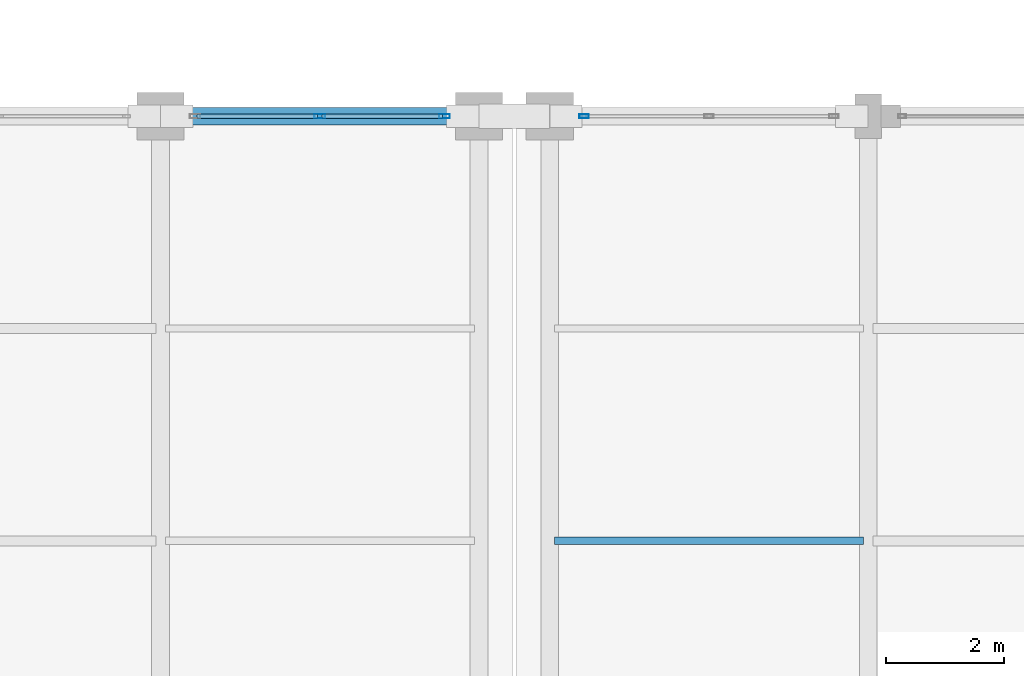
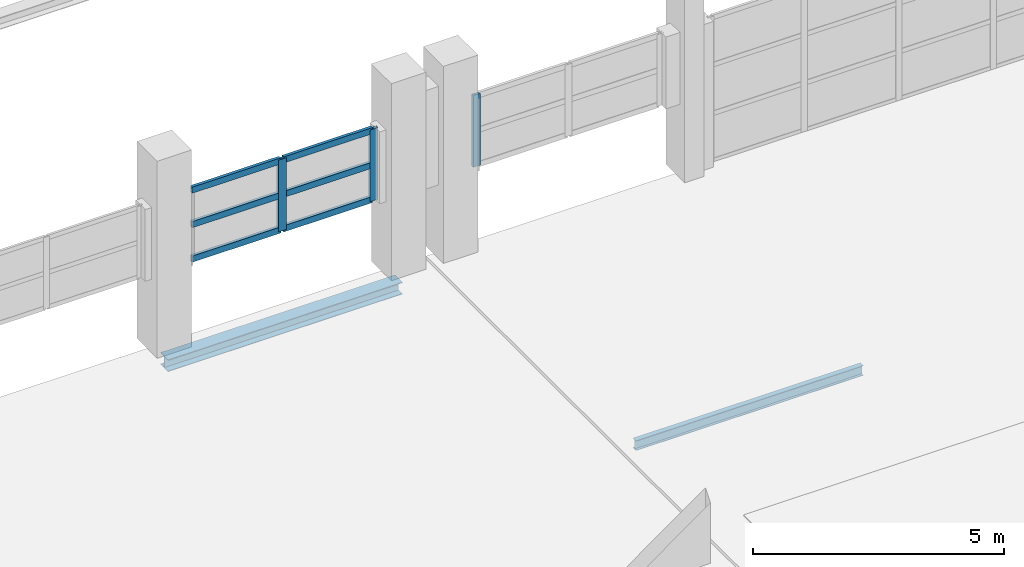
# One storey, part 63 of 86: 9 members, 2 beams, 2 elements without a shape of their own.
"""IFC4 building model written with IfcOpenShell, lengths in metres."""

from ifc_helpers import new_model, si_unit, direction, frame, origin, origin_2d, place, context, subcontext, project, spatial, hollow_rectangle, i_section, extrude, material, layer, layer_set, material_profile, profile_set, type_object, element, aggregate, save


model = new_model("IFC4")

# Units and contexts
model_context = context("Model", 3, precision=1e-05, world=origin(), true_north=direction((0.0, 1.0)))
body_context = subcontext(model_context, "Body", "Model", "MODEL_VIEW")
ifc_project = project(units=[si_unit("LENGTHUNIT", "METRE"), si_unit("AREAUNIT", "SQUARE_METRE"), si_unit("VOLUMEUNIT", "CUBIC_METRE"), si_unit("PLANEANGLEUNIT", "RADIAN"), si_unit("MASSUNIT", "GRAM", prefix="KILO")], contexts=[model_context])

# Site, building, storey
site_placement = place(None, origin())
site = spatial("IfcSite", under=ifc_project, at=site_placement, CompositionType="ELEMENT")
building_placement = place(site_placement, origin())
building = spatial("IfcBuilding", under=site, at=building_placement, Name="Zilviju Railside Exhibition Hall", CompositionType="ELEMENT")
storey_placement = place(building_placement, frame((0.0, 0.0, 12.60009765625)))
storey = spatial("IfcBuildingStorey", under=building, at=storey_placement, Name="L04", CompositionType="ELEMENT", Elevation=12.60009765625)

# Beams
ifc_material_1 = material(Name="Steel S355J2", Category="steel")
ifc_material_profile_1 = material_profile(ifc_material_1, i_section(OverallWidth=0.300048828125, OverallDepth=0.2900390625, WebThickness=0.008544921875, FlangeThickness=0.013916015625, at=origin_2d()), Name="HEA 300")
ifc_profile_set_1 = profile_set([ifc_material_profile_1], Name="Steel S355J2")
beam_type_1 = type_object("IfcBeamType", Name="BM-HEA300", PredefinedType="SPANDREL", material=ifc_profile_set_1)
beam_1_placement = place(storey_placement, frame((168.0, 138.0, -0.47509765625), z_axis=(1.0, 0.0, 0.0), x_axis=(0.0, 1.0, 0.0)))
element("IfcBeam", 1, at=beam_1_placement, inside=storey, type_object=beam_type_1, Name="Primary Girder L04 Y=138.0 (168.0..173.4)", PredefinedType="SPANDREL", context=body_context, shape_type="SweptSolid", body=[
    extrude(i_section(OverallWidth=0.300048828125, OverallDepth=0.2900390625, WebThickness=0.008544921875, FlangeThickness=0.013916015625, at=origin_2d()), origin(), (0.0, 0.0, 1.0), 5.39990234375),
])
ifc_material_profile_2 = material_profile(ifc_material_1, i_section(OverallWidth=0.1201171875, OverallDepth=0.239990234375, WebThickness=0.006103515625, FlangeThickness=0.009765625, at=origin_2d()), Name="IPE 240")
ifc_profile_set_2 = profile_set([ifc_material_profile_2], Name="Steel S355J2")
beam_type_2 = type_object("IfcBeamType", Name="BM-IPE240", PredefinedType="JOIST", material=ifc_profile_set_2)
beam_2_placement = place(storey_placement, frame((174.679931640625, 130.800048828125, -0.4501953125), z_axis=(1.0, 0.0, 0.0), x_axis=(0.0, 1.0, 0.0)))
element("IfcBeam", 2, at=beam_2_placement, inside=storey, type_object=beam_type_2, Name="Composite Floor Joist L04 Y=130.80 (174.6..180.0)", PredefinedType="JOIST", context=body_context, shape_type="SweptSolid", body=[
    extrude(i_section(OverallWidth=0.1201171875, OverallDepth=0.239990234375, WebThickness=0.006103515625, FlangeThickness=0.009765625, at=origin_2d()), origin(), (0.0, 0.0, 1.0), 5.239990234375),
])

# Curtain wall, member
ifc_material_2 = material(Name="Thermally broken aluminium-steel triple-glazed curtain wall", Category="steel")
ifc_layer_1 = layer(ifc_material_2, 0.179931640625)
ifc_layer_set_1 = layer_set([ifc_layer_1], Name="Thermally broken aluminium-steel triple-glazed curtain wall")
curtain_wall_type_1 = type_object("IfcCurtainWallType", Name="CW-BAY-10", PredefinedType="USERDEFINED", material=ifc_layer_set_1)
curtain_wall_1_placement = place(storey_placement, origin())
curtain_wall_1 = element("IfcCurtainWall", 3, at=curtain_wall_1_placement, inside=storey, type_object=curtain_wall_type_1, Name="North Hall Clerestory Curtain Wall L04 (175..180)", ObjectType="GLAZED CURTAIN WALL", PredefinedType="USERDEFINED")
ifc_material_3 = material(Name="Thermally broken anodized aluminium mullion", Category="aluminium")
ifc_material_profile_3 = material_profile(ifc_material_3, hollow_rectangle(XDim=0.06494140625, YDim=0.159912109375, WallThickness=0.0048828125, at=origin_2d()), Name="MULLION 160x65x5")
ifc_profile_set_3 = profile_set([ifc_material_profile_3], Name="Thermally broken anodized aluminium mullion")
member_type_1 = type_object("IfcMemberType", Name="CWM-65x160", PredefinedType="MULLION", material=ifc_profile_set_3)
member_1_placement = place(storey_placement, frame((175.1826171875, 138.0, 1.7998046875), z_axis=(0.0, 0.0, 1.0), x_axis=(0.0, 1.0, 0.0)))
member_1 = element("IfcMember", 4, at=member_1_placement, type_object=member_type_1, Name="CW-10 mullion 1", PredefinedType="MULLION", context=body_context, shape_type="SweptSolid", body=[
    extrude(hollow_rectangle(XDim=0.06494140625, YDim=0.159912109375, WallThickness=0.0048828125, at=origin_2d()), origin(), (0.0, 0.0, 1.0), 1.75),
])
aggregate(curtain_wall_1, [member_1])

# Curtain wall, members
ifc_layer_2 = layer(ifc_material_2, 0.179931640625)
ifc_layer_set_2 = layer_set([ifc_layer_2], Name="Thermally broken aluminium-steel triple-glazed curtain wall")
curtain_wall_type_2 = type_object("IfcCurtainWallType", Name="CW-BAY-09", PredefinedType="USERDEFINED", material=ifc_layer_set_2)
curtain_wall_2_placement = place(storey_placement, origin())
curtain_wall_2 = element("IfcCurtainWall", 5, at=curtain_wall_2_placement, inside=storey, type_object=curtain_wall_type_2, Name="North Hall Clerestory Curtain Wall L04 (168..173)", ObjectType="GLAZED CURTAIN WALL", PredefinedType="USERDEFINED")
ifc_material_profile_4 = material_profile(ifc_material_3, hollow_rectangle(XDim=0.070068359375, YDim=0.179931640625, WallThickness=0.0048828125, at=origin_2d()), Name="MULLION 180x70x5")
ifc_profile_set_4 = profile_set([ifc_material_profile_4], Name="Thermally broken anodized aluminium mullion")
member_type_2 = type_object("IfcMemberType", Name="CWM-70x180", PredefinedType="MULLION", material=ifc_profile_set_4)
member_2_placement = place(storey_placement, frame((170.699951171875, 138.0, 1.7998046875), z_axis=(0.0, 0.0, 1.0), x_axis=(0.0, 1.0, 0.0)))
member_2 = element("IfcMember", 6, at=member_2_placement, type_object=member_type_2, Name="CW-09 mullion 2", PredefinedType="MULLION", context=body_context, shape_type="SweptSolid", body=[
    extrude(hollow_rectangle(XDim=0.070068359375, YDim=0.179931640625, WallThickness=0.0048828125, at=origin_2d()), origin(), (0.0, 0.0, 1.0), 1.75),
])
member_3_placement = place(storey_placement, frame((172.81494140625, 138.0, 1.7998046875), z_axis=(0.0, 0.0, 1.0), x_axis=(0.0, 1.0, 0.0)))
member_3 = element("IfcMember", 7, at=member_3_placement, type_object=member_type_2, Name="CW-09 mullion 3", PredefinedType="MULLION", context=body_context, shape_type="SweptSolid", body=[
    extrude(hollow_rectangle(XDim=0.070068359375, YDim=0.179931640625, WallThickness=0.0048828125, at=origin_2d()), origin(), (0.0, 0.0, 1.0), 1.75),
])
ifc_material_4 = material(Name="Thermally broken anodized aluminium transom", Category="aluminium")
ifc_material_profile_5 = material_profile(ifc_material_4, hollow_rectangle(XDim=0.070068359375, YDim=0.14990234375, WallThickness=0.0048828125, at=origin_2d()), Name="TRANSOM 150x70x5")
ifc_profile_set_5 = profile_set([ifc_material_profile_5], Name="Thermally broken anodized aluminium transom")
member_type_3 = type_object("IfcMemberType", Name="CWT-70x150", PredefinedType="USERDEFINED", material=ifc_profile_set_5)
member_4_placement = place(storey_placement, frame((168.6201171875, 138.0, 1.8349609375), z_axis=(1.0, 0.0, 0.0), x_axis=(0.0, 1.0, 0.0)))
member_4 = element("IfcMember", 8, at=member_4_placement, type_object=member_type_3, Name="CW-09 transom 1.1", ObjectType="TRANSOM", PredefinedType="USERDEFINED", context=body_context, shape_type="SweptSolid", body=[
    extrude(hollow_rectangle(XDim=0.070068359375, YDim=0.14990234375, WallThickness=0.0048828125, at=origin_2d()), origin(), (0.0, 0.0, 1.0), 2.044921875),
])
member_5_placement = place(storey_placement, frame((168.6201171875, 138.0, 2.6748046875), z_axis=(1.0, 0.0, 0.0), x_axis=(0.0, 1.0, 0.0)))
member_5 = element("IfcMember", 9, at=member_5_placement, type_object=member_type_3, Name="CW-09 transom 1.2", ObjectType="TRANSOM", PredefinedType="USERDEFINED", context=body_context, shape_type="SweptSolid", body=[
    extrude(hollow_rectangle(XDim=0.070068359375, YDim=0.14990234375, WallThickness=0.0048828125, at=origin_2d()), origin(), (0.0, 0.0, 1.0), 2.044921875),
])
member_6_placement = place(storey_placement, frame((168.6201171875, 138.0, 3.514892578125), z_axis=(1.0, 0.0, 0.0), x_axis=(0.0, 1.0, 0.0)))
member_6 = element("IfcMember", 10, at=member_6_placement, type_object=member_type_3, Name="CW-09 transom 1.3", ObjectType="TRANSOM", PredefinedType="USERDEFINED", context=body_context, shape_type="SweptSolid", body=[
    extrude(hollow_rectangle(XDim=0.070068359375, YDim=0.14990234375, WallThickness=0.0048828125, at=origin_2d()), origin(), (0.0, 0.0, 1.0), 2.044921875),
])
member_7_placement = place(storey_placement, frame((170.735107421875, 138.0, 1.8349609375), z_axis=(1.0, 0.0, 0.0), x_axis=(0.0, 1.0, 0.0)))
member_7 = element("IfcMember", 11, at=member_7_placement, type_object=member_type_3, Name="CW-09 transom 2.1", ObjectType="TRANSOM", PredefinedType="USERDEFINED", context=body_context, shape_type="SweptSolid", body=[
    extrude(hollow_rectangle(XDim=0.070068359375, YDim=0.14990234375, WallThickness=0.0048828125, at=origin_2d()), origin(), (0.0, 0.0, 1.0), 2.044921875),
])
member_8_placement = place(storey_placement, frame((170.735107421875, 138.0, 2.6748046875), z_axis=(1.0, 0.0, 0.0), x_axis=(0.0, 1.0, 0.0)))
member_8 = element("IfcMember", 12, at=member_8_placement, type_object=member_type_3, Name="CW-09 transom 2.2", ObjectType="TRANSOM", PredefinedType="USERDEFINED", context=body_context, shape_type="SweptSolid", body=[
    extrude(hollow_rectangle(XDim=0.070068359375, YDim=0.14990234375, WallThickness=0.0048828125, at=origin_2d()), origin(), (0.0, 0.0, 1.0), 2.044921875),
])
member_9_placement = place(storey_placement, frame((170.735107421875, 138.0, 3.514892578125), z_axis=(1.0, 0.0, 0.0), x_axis=(0.0, 1.0, 0.0)))
member_9 = element("IfcMember", 13, at=member_9_placement, type_object=member_type_3, Name="CW-09 transom 2.3", ObjectType="TRANSOM", PredefinedType="USERDEFINED", context=body_context, shape_type="SweptSolid", body=[
    extrude(hollow_rectangle(XDim=0.070068359375, YDim=0.14990234375, WallThickness=0.0048828125, at=origin_2d()), origin(), (0.0, 0.0, 1.0), 2.044921875),
])
aggregate(curtain_wall_2, [member_2, member_3, member_4, member_5, member_6, member_7, member_8, member_9])

save(model, "model.ifc")
